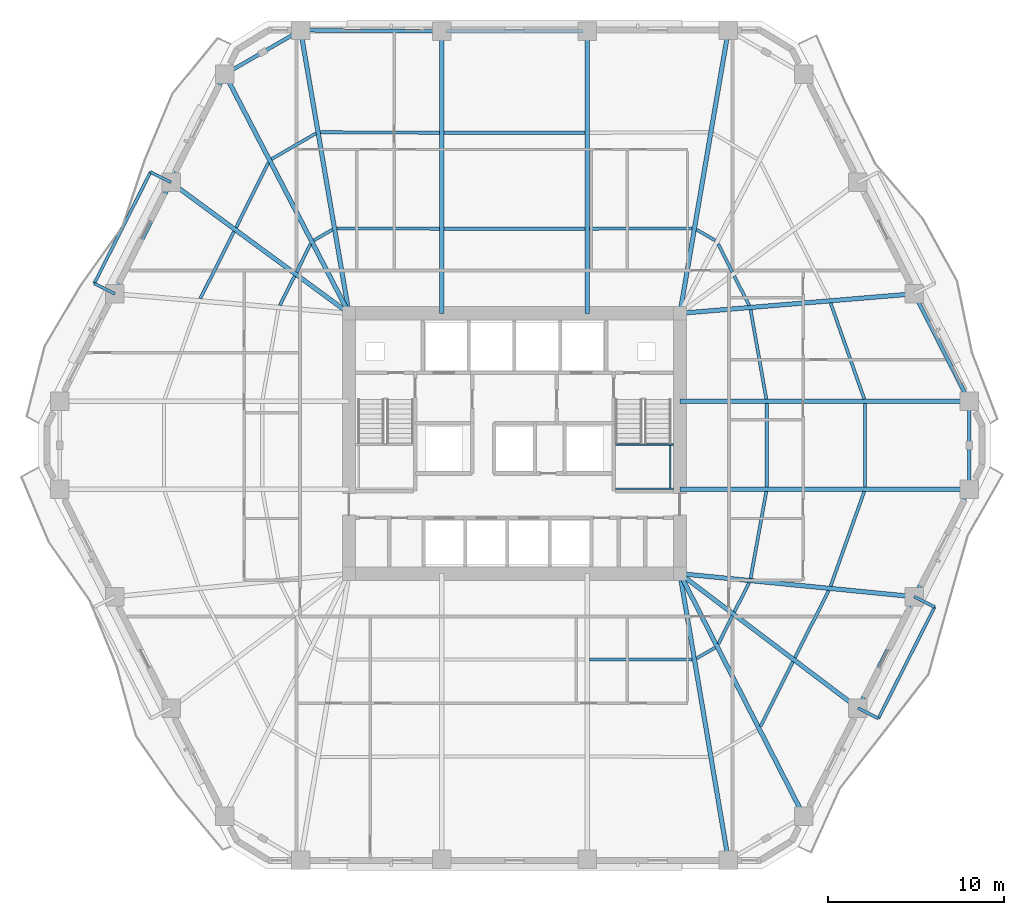
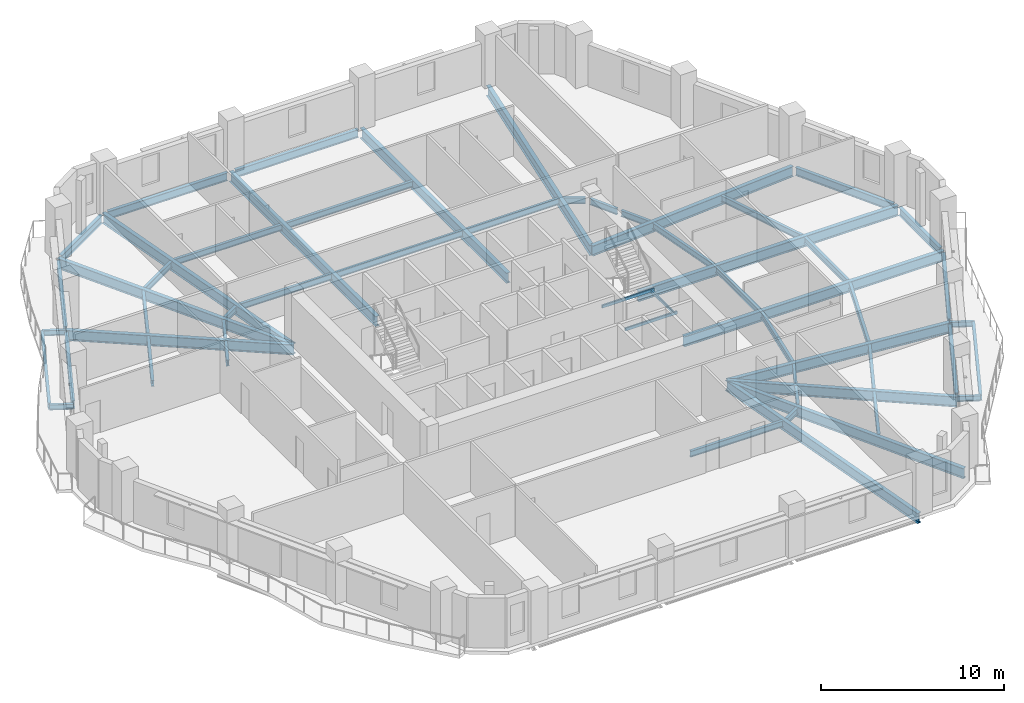
# One storey, part 2 of 13: 57 beams.
"""IFC4 building model written with IfcOpenShell, lengths in metres."""

import ifcopenshell
import ifcopenshell.guid

model = None  # the IFC model being written
_history = None  # IfcOwnerHistory: only IFC2X3 demands one
_inside = {}  # id of a spatial element -> (the spatial element, [elements in it])
_under = {}  # id of a project, library or spatial element -> (it, [spatial elements below it])
_declared = {}  # id of a project -> (the project, [libraries it declares])
_typed = {}  # id of a type object -> (the type object, [elements of that type])
_made_of = {}  # id of a material, layer set ... -> (it, [elements and type objects made of it])


def new_model(schema):
    """Start an empty IFC model of exactly this schema.

    Asked for "IFC4X3", IfcOpenShell would pick the latest addendum, in which some entities
    have other attributes; the version numbers below select the first issue.
    IFC2X3 requires an IfcOwnerHistory on every rooted entity: one is made here for all.
    """
    global model, _history
    if schema == "IFC4X3":
        model = ifcopenshell.file(schema_version=(4, 3, 0, 0))
    else:
        model = ifcopenshell.file(schema=schema)
    _inside.clear()
    _under.clear()
    _declared.clear()
    _typed.clear()
    _made_of.clear()
    _history = None
    if model.schema == "IFC2X3":
        org = make("IfcOrganization", Name="unknown")
        user = make(
            "IfcPersonAndOrganization",
            ThePerson=make("IfcPerson", FamilyName="unknown"),
            TheOrganization=org,
        )
        app = make(
            "IfcApplication",
            ApplicationDeveloper=org,
            Version="unknown",
            ApplicationFullName="unknown",
            ApplicationIdentifier="unknown",
        )
        _history = make(
            "IfcOwnerHistory",
            OwningUser=user,
            OwningApplication=app,
            ChangeAction="ADDED",
            CreationDate=0,
        )
    return model


def make(cls, **values):
    """One entity of the class cls with the attributes given. An attribute that is None is left unset."""
    return model.create_entity(
        cls, **{name: value for name, value in values.items() if value is not None}
    )


def rooted(cls, **values):
    """An entity with a GlobalId (a new one), such as an element, a storey or a relation."""
    return make(cls, GlobalId=ifcopenshell.guid.new(), OwnerHistory=_history, **values)


def si_unit(unit_type, name, prefix=None):
    """IfcSIUnit, for example si_unit("LENGTHUNIT", "METRE", prefix="MILLI")."""
    return make("IfcSIUnit", UnitType=unit_type, Prefix=prefix, Name=name)


def assignment(units):
    """IfcUnitAssignment: the units of a project."""
    return None if units is None else make("IfcUnitAssignment", Units=units)


def point(xyz):
    """IfcCartesianPoint."""
    return None if xyz is None else make("IfcCartesianPoint", Coordinates=xyz)


def direction(xyz):
    """IfcDirection."""
    return None if xyz is None else make("IfcDirection", DirectionRatios=xyz)


def frame(location, z_axis=None, x_axis=None):
    """IfcAxis2Placement3D, a coordinate frame: its origin and axes. An axis left out is left unset."""
    return make(
        "IfcAxis2Placement3D",
        Location=point(location),
        Axis=direction(z_axis),
        RefDirection=direction(x_axis),
    )


def frame_2d(location, x_axis=None):
    """IfcAxis2Placement2D, a coordinate frame in the plane: its origin and x axis."""
    return make(
        "IfcAxis2Placement2D", Location=point(location), RefDirection=direction(x_axis)
    )


def origin():
    """The frame at (0, 0, 0) with its axes left unset."""
    return frame((0.0, 0.0, 0.0))


def origin_2d():
    """The frame at (0, 0) in the plane with its x axis left unset."""
    return frame_2d((0.0, 0.0))


def place(relative_to, where):
    """IfcLocalPlacement: puts the frame where relative to a parent placement (None: the world)."""
    return make(
        "IfcLocalPlacement", PlacementRelTo=relative_to, RelativePlacement=where
    )


def context(
    kind, dimensions, precision=None, world=None, true_north=None, identifier=None
):
    """IfcGeometricRepresentationContext, for example the 3D "Model" context."""
    return make(
        "IfcGeometricRepresentationContext",
        ContextIdentifier=identifier,
        ContextType=kind,
        CoordinateSpaceDimension=dimensions,
        Precision=precision,
        WorldCoordinateSystem=world,
        TrueNorth=true_north,
    )


def subcontext(parent, identifier, kind, view, scale=None):
    """IfcGeometricRepresentationSubContext, for example "Body" below "Model"."""
    return make(
        "IfcGeometricRepresentationSubContext",
        ContextIdentifier=identifier,
        ContextType=kind,
        ParentContext=parent,
        TargetScale=scale,
        TargetView=view,
    )


def project(units=None, contexts=None):
    """IfcProject with its units and contexts."""
    return rooted(
        "IfcProject",
        Name="project",
        RepresentationContexts=contexts,
        UnitsInContext=assignment(units),
    )


def spatial(cls, under=None, at=None, **own):
    """A site, building, storey or space (cls), placed at a placement, below another one or the project."""
    s = rooted(cls, ObjectPlacement=at, **own)
    if under is not None:
        _under.setdefault(under.id(), (under, []))[1].append(s)
    return s


def profile(cls, at=None, kind="AREA", **sizes):
    """A parametric profile (cls). Its sizes go by their IFC names, for example OverallWidth=200.0."""
    return make(cls, ProfileType=kind, Position=at, **sizes)


def hollow_rectangle(**sizes):
    """IfcRectangleHollowProfileDef."""
    return profile("IfcRectangleHollowProfileDef", **sizes)


def i_section(**sizes):
    """IfcIShapeProfileDef."""
    return profile("IfcIShapeProfileDef", **sizes)


def extrude(swept, where, along, depth):
    """IfcExtrudedAreaSolid: the profile swept, set in the frame where, extruded along a direction by depth."""
    return make(
        "IfcExtrudedAreaSolid",
        SweptArea=swept,
        Position=where,
        ExtrudedDirection=direction(along),
        Depth=depth,
    )


def shape(context_of_items, identifier, shape_type, items):
    """IfcShapeRepresentation: the items that make up one representation, for example the "Body"."""
    return make(
        "IfcShapeRepresentation",
        ContextOfItems=context_of_items,
        RepresentationIdentifier=identifier,
        RepresentationType=shape_type,
        Items=items,
    )


def material(Name=None, Category=None):
    """IfcMaterial."""
    return make("IfcMaterial", Name=Name, Category=Category)


def material_profile(
    of_material, cross_section, Name=None, Category=None, Priority=None
):
    """IfcMaterialProfile: a cross section and its material."""
    return make(
        "IfcMaterialProfile",
        Name=Name,
        Material=of_material,
        Profile=cross_section,
        Priority=Priority,
        Category=Category,
    )


def profile_set(profiles, Name=None, composite=None):
    """IfcMaterialProfileSet."""
    return make(
        "IfcMaterialProfileSet",
        Name=Name,
        MaterialProfiles=profiles,
        CompositeProfile=composite,
    )


def made_of(thing, what):
    """Note that an element or type object is made of a material, layer set ...; save() writes the relation."""
    if what is not None:
        _made_of.setdefault(what.id(), (what, []))[1].append(thing)
    return thing


def type_object(cls, material=None, **own):
    """A type object (cls), such as IfcWallType, which elements share."""
    return made_of(rooted(cls, **own), material)


def element(
    cls,
    number,
    at=None,
    inside=None,
    cuts=None,
    type_object=None,
    material=None,
    context=None,
    identifier="Body",
    shape_type=None,
    held_by="IfcProductDefinitionShape",
    body=None,
    shapes=None,
    **own,
):
    """One element of the class cls, such as IfcWall. Its Tag is "e" and its number.

    at: its placement. inside: the storey or other place that contains it. cuts: it is an
    opening in that element (IfcRelVoidsElement). A single representation is given by context,
    identifier, shape_type and body (its items); several are given by shapes. held_by: the class
    of the entity that holds the representations. save() writes the other relations.
    """
    e = rooted(cls, Tag="e%d" % number, ObjectPlacement=at, **own)
    if body is not None:
        shapes = [shape(context, identifier, shape_type, body)]
    if shapes is not None:
        e.Representation = make(held_by, Representations=shapes)
    if inside is not None:
        _inside.setdefault(inside.id(), (inside, []))[1].append(e)
    if cuts is not None:
        rooted(
            "IfcRelVoidsElement", RelatingBuildingElement=cuts, RelatedOpeningElement=e
        )
    if type_object is not None:
        _typed.setdefault(type_object.id(), (type_object, []))[1].append(e)
    return made_of(e, material)


def aggregate(whole, parts):
    """IfcRelAggregates: a whole, such as a stair, and the parts it consists of."""
    return rooted("IfcRelAggregates", RelatingObject=whole, RelatedObjects=parts)


def save(model, path):
    """Write the relations noted so far, then the file.

    IfcRelAggregates (storeys below a building ...), IfcRelContainedInSpatialStructure (elements
    in a storey), IfcRelDefinesByType, IfcRelAssociatesMaterial and IfcRelDeclares: one each for
    every whole, place, type object, material and project.
    """
    for whole, parts in _under.values():
        aggregate(whole, parts)
    for where, things in _inside.values():
        rooted(
            "IfcRelContainedInSpatialStructure",
            RelatedElements=things,
            RelatingStructure=where,
        )
    for kind, things in _typed.values():
        rooted("IfcRelDefinesByType", RelatedObjects=things, RelatingType=kind)
    for what, things in _made_of.values():
        rooted("IfcRelAssociatesMaterial", RelatedObjects=things, RelatingMaterial=what)
    for by, libraries in _declared.values():
        rooted("IfcRelDeclares", RelatingContext=by, RelatedDefinitions=libraries)
    model.write(path)


model = new_model("IFC4")

# Units and contexts
model_context = context("Model", 3, precision=1e-05, world=origin(), true_north=direction((0.0, 1.0)))
body_context = subcontext(model_context, "Body", "Model", "MODEL_VIEW")
ifc_project = project(units=[si_unit("LENGTHUNIT", "METRE"), si_unit("AREAUNIT", "SQUARE_METRE"), si_unit("VOLUMEUNIT", "CUBIC_METRE"), si_unit("PLANEANGLEUNIT", "RADIAN"), si_unit("MASSUNIT", "GRAM", prefix="KILO")], contexts=[model_context])

# Site, building, storey
site_placement = place(None, origin())
site = spatial("IfcSite", under=ifc_project, at=site_placement, CompositionType="ELEMENT")
building_placement = place(site_placement, origin())
building = spatial("IfcBuilding", under=site, at=building_placement, Name="Cinnabar Lancet Tower", CompositionType="ELEMENT")
storey_placement = place(building_placement, frame((0.0, 0.0, 80.0)))
storey = spatial("IfcBuildingStorey", under=building, at=storey_placement, Name="L20", CompositionType="ELEMENT", Elevation=80.0)

# Beams
ifc_material_1 = material(Name="Structural steel S355", Category="steel")
ifc_material_profile_1 = material_profile(ifc_material_1, i_section(OverallWidth=0.177978515625, OverallDepth=0.406494140625, WebThickness=0.0078125, FlangeThickness=0.0126953125, FilletRadius=0.01025390625, at=origin_2d()), Name="UKB 406x178x60")
ifc_profile_set_1 = profile_set([ifc_material_profile_1], Name="Structural steel S355")
beam_type_1 = type_object("IfcBeamType", Name="STR-BM-JST-406", PredefinedType="JOIST", material=ifc_profile_set_1)
beam_1_placement = place(storey_placement, frame((36.64892578125, 13.669921875, -0.423095703125), z_axis=(0.999996726205, -0.002558823789, 0.0), x_axis=(0.002558823789, 0.999996726205, 0.0)))
element("IfcBeam", 1, at=beam_1_placement, inside=storey, type_object=beam_type_1, Name="L20 Secondary Floor Joist 14", PredefinedType="JOIST", context=body_context, shape_type="SweptSolid", body=[
    extrude(i_section(OverallWidth=0.177978515625, OverallDepth=0.406494140625, WebThickness=0.0078125, FlangeThickness=0.0126953125, FilletRadius=0.01025390625, at=origin_2d()), origin(), (0.0, 0.0, 1.0), 5.820068359375),
])
beam_2_placement = place(storey_placement, frame((42.715087890625, 13.721923828125, -0.423095703125), z_axis=(0.864870018283, 0.501995867986, 0.0), x_axis=(-0.501995867986, 0.864870018283, 0.0)))
element("IfcBeam", 2, at=beam_2_placement, inside=storey, type_object=beam_type_1, Name="L20 Secondary Floor Joist 16", PredefinedType="JOIST", context=body_context, shape_type="SweptSolid", body=[
    extrude(i_section(OverallWidth=0.177978515625, OverallDepth=0.406494140625, WebThickness=0.0078125, FlangeThickness=0.0126953125, FilletRadius=0.01025390625, at=origin_2d()), origin(), (0.0, 0.0, 1.0), 1.22314453125),
])
beam_3_placement = place(storey_placement, frame((46.343017578125, 9.864990234375, -0.423095703125), z_axis=(0.445831561814, 0.895116874207, 0.0), x_axis=(-0.895116874207, 0.445831561814, 0.0)))
element("IfcBeam", 3, at=beam_3_placement, inside=storey, type_object=beam_type_1, Name="L20 Secondary Floor Joist 17", PredefinedType="JOIST", context=body_context, shape_type="SweptSolid", body=[
    extrude(i_section(OverallWidth=0.177978515625, OverallDepth=0.406494140625, WebThickness=0.0078125, FlangeThickness=0.0126953125, FilletRadius=0.01025390625, at=origin_2d()), origin(), (0.0, 0.0, 1.0), 4.099853515625),
])
beam_4_placement = place(storey_placement, frame((43.9541015625, 14.541015625, -0.423095703125), z_axis=(0.445778141453, 0.895143479339, 0.0), x_axis=(-0.895143479339, 0.445778141453, 0.0)))
element("IfcBeam", 4, at=beam_4_placement, inside=storey, type_object=beam_type_1, Name="L20 Secondary Floor Joist 18", PredefinedType="JOIST", context=body_context, shape_type="SweptSolid", body=[
    extrude(i_section(OverallWidth=0.177978515625, OverallDepth=0.406494140625, WebThickness=0.0078125, FlangeThickness=0.0126953125, FilletRadius=0.01025390625, at=origin_2d()), origin(), (0.0, 0.0, 1.0), 1.76953125),
])
beam_5_placement = place(storey_placement, frame((48.287109375, 13.76611328125, -0.423095703125), z_axis=(0.450763900798, 0.892643213012, 0.0), x_axis=(-0.892643213012, 0.450763900798, 0.0)))
element("IfcBeam", 5, at=beam_5_placement, inside=storey, type_object=beam_type_1, Name="L20 Secondary Floor Joist 19", PredefinedType="JOIST", context=body_context, shape_type="SweptSolid", body=[
    extrude(i_section(OverallWidth=0.177978515625, OverallDepth=0.406494140625, WebThickness=0.0078125, FlangeThickness=0.0126953125, FilletRadius=0.01025390625, at=origin_2d()), origin(), (0.0, 0.0, 1.0), 4.25927734375),
])
beam_6_placement = place(storey_placement, frame((44.85791015625, 16.35498046875, -0.423095703125), z_axis=(0.450944553771, 0.892551964551, 0.0), x_axis=(-0.892551964551, 0.450944553771, 0.0)))
element("IfcBeam", 6, at=beam_6_placement, inside=storey, type_object=beam_type_1, Name="L20 Secondary Floor Joist 20", PredefinedType="JOIST", context=body_context, shape_type="SweptSolid", body=[
    extrude(i_section(OverallWidth=0.177978515625, OverallDepth=0.406494140625, WebThickness=0.0078125, FlangeThickness=0.0126953125, FilletRadius=0.01025390625, at=origin_2d()), origin(), (0.0, 0.0, 1.0), 1.8564453125),
])
beam_7_placement = place(storey_placement, frame((50.31201171875, 17.81298828125, -0.423095703125), z_axis=(0.334725039774, 0.942315842883, 0.0), x_axis=(-0.942315842883, 0.334725039774, 0.0)))
element("IfcBeam", 7, at=beam_7_placement, inside=storey, type_object=beam_type_1, Name="L20 Secondary Floor Joist 21", PredefinedType="JOIST", context=body_context, shape_type="SweptSolid", body=[
    extrude(i_section(OverallWidth=0.177978515625, OverallDepth=0.406494140625, WebThickness=0.0078125, FlangeThickness=0.0126953125, FilletRadius=0.01025390625, at=origin_2d()), origin(), (0.0, 0.0, 1.0), 5.702880859375),
])
beam_8_placement = place(storey_placement, frame((45.779052734375, 18.259033203125, -0.423095703125), z_axis=(0.177894326387, 0.984049596636, 0.0), x_axis=(-0.984049596636, 0.177894326387, 0.0)))
element("IfcBeam", 8, at=beam_8_placement, inside=storey, type_object=beam_type_1, Name="L20 Secondary Floor Joist 22", PredefinedType="JOIST", context=body_context, shape_type="SweptSolid", body=[
    extrude(i_section(OverallWidth=0.177978515625, OverallDepth=0.406494140625, WebThickness=0.0078125, FlangeThickness=0.0126953125, FilletRadius=0.01025390625, at=origin_2d()), origin(), (0.0, 0.0, 1.0), 5.0078125),
])
for number, where, z_axis, x_axis, name in (
    (9, (52.26708984375, 23.44091796875, -0.423095703125), (0.0, 1.0, 0.0), (-1.0, 0.0, 0.0), "L20 Secondary Floor Joist 23"),
    (10, (46.693115234375, 23.44091796875, -0.423095703125), (0.0, 1.0, 0.0), (-1.0, 0.0, 0.0), "L20 Secondary Floor Joist 24"),
):
    element("IfcBeam", number, at=place(storey_placement, frame(where, z_axis=z_axis, x_axis=x_axis)), inside=storey, type_object=beam_type_1, Name=name, PredefinedType="JOIST", context=body_context, shape_type="SweptSolid", body=[
        extrude(i_section(OverallWidth=0.177978515625, OverallDepth=0.406494140625, WebThickness=0.0078125, FlangeThickness=0.0126953125, FilletRadius=0.01025390625, at=origin_2d()), origin(), (0.0, 0.0, 1.0), 4.718017578125),
    ])
beam_9_placement = place(storey_placement, frame((52.221923828125, 28.4130859375, -0.423095703125), z_axis=(-0.330949596087, 0.943648432866, 0.0), x_axis=(-0.943648432866, -0.330949596087, 0.0)))
element("IfcBeam", 11, at=beam_9_placement, inside=storey, type_object=beam_type_1, Name="L20 Secondary Floor Joist 25", PredefinedType="JOIST", context=body_context, shape_type="SweptSolid", body=[
    extrude(i_section(OverallWidth=0.177978515625, OverallDepth=0.406494140625, WebThickness=0.0078125, FlangeThickness=0.0126953125, FilletRadius=0.01025390625, at=origin_2d()), origin(), (0.0, 0.0, 1.0), 5.77099609375),
])
beam_10_placement = place(storey_placement, frame((46.6708984375, 28.4130859375, -0.423095703125), z_axis=(-0.173501142861, 0.984833667898, 0.0), x_axis=(-0.984833667898, -0.173501142861, 0.0)))
element("IfcBeam", 12, at=beam_10_placement, inside=storey, type_object=beam_type_1, Name="L20 Secondary Floor Joist 26", PredefinedType="JOIST", context=body_context, shape_type="SweptSolid", body=[
    extrude(i_section(OverallWidth=0.177978515625, OverallDepth=0.406494140625, WebThickness=0.0078125, FlangeThickness=0.0126953125, FilletRadius=0.01025390625, at=origin_2d()), origin(), (0.0, 0.0, 1.0), 5.14599609375),
])
beam_11_placement = place(storey_placement, frame((45.695068359375, 33.72900390625, -0.423095703125), z_axis=(-0.451156365602, 0.892444919184, 0.0), x_axis=(-0.892444919184, -0.451156365602, 0.0)))
element("IfcBeam", 13, at=beam_11_placement, inside=storey, type_object=beam_type_1, Name="L20 Secondary Floor Joist 28", PredefinedType="JOIST", context=body_context, shape_type="SweptSolid", body=[
    extrude(i_section(OverallWidth=0.177978515625, OverallDepth=0.406494140625, WebThickness=0.0078125, FlangeThickness=0.0126953125, FilletRadius=0.01025390625, at=origin_2d()), origin(), (0.0, 0.0, 1.0), 1.85546875),
])
beam_12_placement = place(storey_placement, frame((44.742919921875, 35.614990234375, -0.423095703125), z_axis=(-0.446110386834, 0.894977945404, 0.0), x_axis=(-0.894977945404, -0.446110386834, 0.0)))
element("IfcBeam", 14, at=beam_12_placement, inside=storey, type_object=beam_type_1, Name="L20 Secondary Floor Joist 30", PredefinedType="JOIST", context=body_context, shape_type="SweptSolid", body=[
    extrude(i_section(OverallWidth=0.177978515625, OverallDepth=0.406494140625, WebThickness=0.0078125, FlangeThickness=0.0126953125, FilletRadius=0.01025390625, at=origin_2d()), origin(), (0.0, 0.0, 1.0), 1.77099609375),
])
beam_13_placement = place(storey_placement, frame((43.77392578125, 37.404052734375, -0.423095703125), z_axis=(-0.865071007494, 0.501649431369, 0.0), x_axis=(-0.501649431369, -0.865071007494, 0.0)))
element("IfcBeam", 15, at=beam_13_placement, inside=storey, type_object=beam_type_1, Name="L20 Secondary Floor Joist 32", PredefinedType="JOIST", context=body_context, shape_type="SweptSolid", body=[
    extrude(i_section(OverallWidth=0.177978515625, OverallDepth=0.406494140625, WebThickness=0.0078125, FlangeThickness=0.0126953125, FilletRadius=0.01025390625, at=origin_2d()), origin(), (0.0, 0.0, 1.0), 1.223876953125),
])
beam_14_placement = place(storey_placement, frame((42.468994140625, 38.0849609375, -0.423095703125), z_axis=(-0.999996726205, -0.002558823789, 0.0), x_axis=(0.002558823789, -0.999996726205, 0.0)))
element("IfcBeam", 16, at=beam_14_placement, inside=storey, type_object=beam_type_1, Name="L20 Secondary Floor Joist 34", PredefinedType="JOIST", context=body_context, shape_type="SweptSolid", body=[
    extrude(i_section(OverallWidth=0.177978515625, OverallDepth=0.406494140625, WebThickness=0.0078125, FlangeThickness=0.0126953125, FilletRadius=0.01025390625, at=origin_2d()), origin(), (0.0, 0.0, 1.0), 5.820068359375),
])
for number, where, z_axis, x_axis, name in (
    (17, (36.39501953125, 43.50390625, -0.423095703125), (-1.0, 0.0, 0.0), (0.0, -1.0, 0.0), "L20 Secondary Floor Joist 35"),
    (18, (36.39501953125, 38.070068359375, -0.423095703125), (-1.0, 0.0, 0.0), (0.0, -1.0, 0.0), "L20 Secondary Floor Joist 36"),
):
    element("IfcBeam", number, at=place(storey_placement, frame(where, z_axis=z_axis, x_axis=x_axis)), inside=storey, type_object=beam_type_1, Name=name, PredefinedType="JOIST", context=body_context, shape_type="SweptSolid", body=[
        extrude(i_section(OverallWidth=0.177978515625, OverallDepth=0.406494140625, WebThickness=0.0078125, FlangeThickness=0.0126953125, FilletRadius=0.01025390625, at=origin_2d()), origin(), (0.0, 0.0, 1.0), 7.989990234375),
    ])
beam_15_placement = place(storey_placement, frame((28.15087890625, 43.5048828125, -0.423095703125), z_axis=(-0.99998860979, 0.004772870136, 0.0), x_axis=(-0.004772870136, -0.99998860979, 0.0)))
element("IfcBeam", 19, at=beam_15_placement, inside=storey, type_object=beam_type_1, Name="L20 Secondary Floor Joist 37", PredefinedType="JOIST", context=body_context, shape_type="SweptSolid", body=[
    extrude(i_section(OverallWidth=0.177978515625, OverallDepth=0.406494140625, WebThickness=0.0078125, FlangeThickness=0.0126953125, FilletRadius=0.01025390625, at=origin_2d()), origin(), (0.0, 0.0, 1.0), 6.751953125),
])
beam_16_placement = place(storey_placement, frame((28.15087890625, 38.070068359375, -0.423095703125), z_axis=(-0.99999672593, 0.00255893113, 0.0), x_axis=(-0.00255893113, -0.99999672593, 0.0)))
element("IfcBeam", 20, at=beam_16_placement, inside=storey, type_object=beam_type_1, Name="L20 Secondary Floor Joist 38", PredefinedType="JOIST", context=body_context, shape_type="SweptSolid", body=[
    extrude(i_section(OverallWidth=0.177978515625, OverallDepth=0.406494140625, WebThickness=0.0078125, FlangeThickness=0.0126953125, FilletRadius=0.01025390625, at=origin_2d()), origin(), (0.0, 0.0, 1.0), 5.81982421875),
])
beam_17_placement = place(storey_placement, frame((21.153076171875, 43.469970703125, -0.423095703125), z_axis=(-0.865230791262, -0.501373790551, 0.0), x_axis=(0.501373790551, -0.865230791262, 0.0)))
element("IfcBeam", 21, at=beam_17_placement, inside=storey, type_object=beam_type_1, Name="L20 Secondary Floor Joist 39", PredefinedType="JOIST", context=body_context, shape_type="SweptSolid", body=[
    extrude(i_section(OverallWidth=0.177978515625, OverallDepth=0.406494140625, WebThickness=0.0078125, FlangeThickness=0.0126953125, FilletRadius=0.01025390625, at=origin_2d()), origin(), (0.0, 0.0, 1.0), 2.907958984375),
])
beam_18_placement = place(storey_placement, frame((22.0849609375, 38.01806640625, -0.423095703125), z_axis=(-0.865121189797, -0.501562884357, 0.0), x_axis=(0.501562884357, -0.865121189797, 0.0)))
element("IfcBeam", 22, at=beam_18_placement, inside=storey, type_object=beam_type_1, Name="L20 Secondary Floor Joist 40", PredefinedType="JOIST", context=body_context, shape_type="SweptSolid", body=[
    extrude(i_section(OverallWidth=0.177978515625, OverallDepth=0.406494140625, WebThickness=0.0078125, FlangeThickness=0.0126953125, FilletRadius=0.01025390625, at=origin_2d()), origin(), (0.0, 0.0, 1.0), 1.22412109375),
])
beam_19_placement = place(storey_placement, frame((18.45703125, 41.80810546875, -0.423095703125), z_axis=(-0.445665476617, -0.895199577163, 0.0), x_axis=(0.895199577163, -0.445665476617, 0.0)))
element("IfcBeam", 23, at=beam_19_placement, inside=storey, type_object=beam_type_1, Name="L20 Secondary Floor Joist 41", PredefinedType="JOIST", context=body_context, shape_type="SweptSolid", body=[
    extrude(i_section(OverallWidth=0.177978515625, OverallDepth=0.406494140625, WebThickness=0.0078125, FlangeThickness=0.0126953125, FilletRadius=0.01025390625, at=origin_2d()), origin(), (0.0, 0.0, 1.0), 4.10205078125),
])
beam_20_placement = place(storey_placement, frame((20.846923828125, 37.199951171875, -0.423095703125), z_axis=(-0.446110386834, -0.894977945404, 0.0), x_axis=(0.894977945404, -0.446110386834, 0.0)))
element("IfcBeam", 24, at=beam_20_placement, inside=storey, type_object=beam_type_1, Name="L20 Secondary Floor Joist 42", PredefinedType="JOIST", context=body_context, shape_type="SweptSolid", body=[
    extrude(i_section(OverallWidth=0.177978515625, OverallDepth=0.406494140625, WebThickness=0.0078125, FlangeThickness=0.0126953125, FilletRadius=0.01025390625, at=origin_2d()), origin(), (0.0, 0.0, 1.0), 1.77099609375),
])
beam_21_placement = place(storey_placement, frame((16.512939453125, 37.906005859375, -0.423095703125), z_axis=(-0.450763900798, -0.892643213012, 0.0), x_axis=(0.892643213012, -0.450763900798, 0.0)))
element("IfcBeam", 25, at=beam_21_placement, inside=storey, type_object=beam_type_1, Name="L20 Secondary Floor Joist 43", PredefinedType="JOIST", context=body_context, shape_type="SweptSolid", body=[
    extrude(i_section(OverallWidth=0.177978515625, OverallDepth=0.406494140625, WebThickness=0.0078125, FlangeThickness=0.0126953125, FilletRadius=0.01025390625, at=origin_2d()), origin(), (0.0, 0.0, 1.0), 4.25927734375),
])
beam_22_placement = place(storey_placement, frame((19.94189453125, 35.385009765625, -0.423095703125), z_axis=(-0.451051565643, -0.892497890827, 0.0), x_axis=(0.892497890827, -0.451051565643, 0.0)))
element("IfcBeam", 26, at=beam_22_placement, inside=storey, type_object=beam_type_1, Name="L20 Secondary Floor Joist 44", PredefinedType="JOIST", context=body_context, shape_type="SweptSolid", body=[
    extrude(i_section(OverallWidth=0.177978515625, OverallDepth=0.406494140625, WebThickness=0.0078125, FlangeThickness=0.0126953125, FilletRadius=0.01025390625, at=origin_2d()), origin(), (0.0, 0.0, 1.0), 1.85546875),
])
ifc_material_2 = material(Name="Structural steel S355", Category="steel")
ifc_material_profile_2 = material_profile(ifc_material_2, hollow_rectangle(XDim=0.10009765625, YDim=0.199951171875, WallThickness=0.008056640625, InnerFilletRadius=0.00390625, OuterFilletRadius=0.011962890625, at=origin_2d()), Name="RHS 200x100x8")
ifc_profile_set_2 = profile_set([ifc_material_profile_2], Name="Structural steel S355")
beam_type_2 = type_object("IfcBeamType", Name="STR-BM-LND-203", PredefinedType="BEAM", material=ifc_profile_set_2)
for number, where, z_axis, x_axis, name in (
    (27, (38.1201171875, 23.330078125, 1.47509765625), (1.0, 0.0, 0.0), (0.0, 1.0, 0.0), "L20 ST-2-L20 Landing Support Beam S"),
    (28, (38.1201171875, 25.844970703125, 1.47509765625), (1.0, 0.0, 0.0), (0.0, 1.0, 0.0), "L20 ST-2-L20 Landing Support Beam N"),
):
    element("IfcBeam", number, at=place(storey_placement, frame(where, z_axis=z_axis, x_axis=x_axis)), inside=storey, type_object=beam_type_2, Name=name, PredefinedType="BEAM", context=body_context, shape_type="SweptSolid", body=[
        extrude(hollow_rectangle(XDim=0.10009765625, YDim=0.199951171875, WallThickness=0.008056640625, InnerFilletRadius=0.00390625, OuterFilletRadius=0.011962890625, at=origin_2d()), origin(), (0.0, 0.0, 1.0), 3.27978515625),
    ])
beam_23_placement = place(storey_placement, frame((41.219970703125, 23.3798828125, 1.47509765625), z_axis=(0.0, 1.0, 0.0), x_axis=(-1.0, 0.0, 0.0)))
element("IfcBeam", 29, at=beam_23_placement, inside=storey, type_object=beam_type_2, Name="L20 ST-2-L20 Landing Side Trimmer Beam", PredefinedType="BEAM", context=body_context, shape_type="SweptSolid", body=[
    extrude(hollow_rectangle(XDim=0.10009765625, YDim=0.199951171875, WallThickness=0.008056640625, InnerFilletRadius=0.00390625, OuterFilletRadius=0.011962890625, at=origin_2d()), origin(), (0.0, 0.0, 1.0), 2.4150390625),
])
ifc_material_3 = material(Name="Structural steel S355", Category="steel")
ifc_material_profile_3 = material_profile(ifc_material_3, i_section(OverallWidth=0.209228515625, OverallDepth=0.533203125, WebThickness=0.010009765625, FlangeThickness=0.015625, FilletRadius=0.0126953125, at=origin_2d()), Name="UKB 533x210x92")
ifc_profile_set_3 = profile_set([ifc_material_profile_3], Name="Structural steel S355")
beam_type_3 = type_object("IfcBeamType", Name="STR-BM-SPN-533", PredefinedType="SPANDREL", material=ifc_profile_set_3)
beam_24_placement = place(storey_placement, frame((51.971923828125, 11.132080078125, -0.487060546875), z_axis=(0.450703143926, 0.892673891214, 0.0), x_axis=(-0.892673891214, 0.450703143926, 0.0)))
element("IfcBeam", 30, at=beam_24_placement, inside=storey, type_object=beam_type_3, Name="L20 Perimeter Spandrel 6", PredefinedType="SPANDREL", context=body_context, shape_type="SweptSolid", body=[
    extrude(i_section(OverallWidth=0.209228515625, OverallDepth=0.533203125, WebThickness=0.010009765625, FlangeThickness=0.015625, FilletRadius=0.0126953125, at=origin_2d()), origin(), (0.0, 0.0, 1.0), 6.570068359375),
])
beam_25_placement = place(storey_placement, frame((55.159912109375, 17.443115234375, -0.487060546875), z_axis=(0.456024522632, 0.889967209934, 0.0), x_axis=(-0.889967209934, 0.456024522632, 0.0)))
element("IfcBeam", 31, at=beam_25_placement, inside=storey, type_object=beam_type_3, Name="L20 Perimeter Spandrel 7", PredefinedType="SPANDREL", context=body_context, shape_type="SweptSolid", body=[
    extrude(i_section(OverallWidth=0.209228515625, OverallDepth=0.533203125, WebThickness=0.010009765625, FlangeThickness=0.015625, FilletRadius=0.0126953125, at=origin_2d()), origin(), (0.0, 0.0, 1.0), 6.34619140625),
])
beam_26_placement = place(storey_placement, frame((58.16796875, 23.56396484375, -0.487060546875), z_axis=(0.0, 1.0, 0.0), x_axis=(-1.0, 0.0, 0.0)))
element("IfcBeam", 32, at=beam_26_placement, inside=storey, type_object=beam_type_3, Name="L20 Perimeter Spandrel 8", PredefinedType="SPANDREL", context=body_context, shape_type="SweptSolid", body=[
    extrude(i_section(OverallWidth=0.209228515625, OverallDepth=0.533203125, WebThickness=0.010009765625, FlangeThickness=0.015625, FilletRadius=0.0126953125, at=origin_2d()), origin(), (0.0, 0.0, 1.0), 4.471923828125),
])
beam_27_placement = place(storey_placement, frame((58.053955078125, 28.509033203125, -0.487060546875), z_axis=(-0.456024522632, 0.889967209934, 0.0), x_axis=(-0.889967209934, -0.456024522632, 0.0)))
element("IfcBeam", 33, at=beam_27_placement, inside=storey, type_object=beam_type_3, Name="L20 Perimeter Spandrel 9", PredefinedType="SPANDREL", context=body_context, shape_type="SweptSolid", body=[
    extrude(i_section(OverallWidth=0.209228515625, OverallDepth=0.533203125, WebThickness=0.010009765625, FlangeThickness=0.015625, FilletRadius=0.0126953125, at=origin_2d()), origin(), (0.0, 0.0, 1.0), 6.34619140625),
])
beam_28_placement = place(storey_placement, frame((36.27197265625, 49.258056640625, -0.487060546875), z_axis=(-1.0, 0.0, 0.0), x_axis=(0.0, -1.0, 0.0)))
element("IfcBeam", 34, at=beam_28_placement, inside=storey, type_object=beam_type_3, Name="L20 Perimeter Spandrel 14", PredefinedType="SPANDREL", context=body_context, shape_type="SweptSolid", body=[
    extrude(i_section(OverallWidth=0.209228515625, OverallDepth=0.533203125, WebThickness=0.010009765625, FlangeThickness=0.015625, FilletRadius=0.0126953125, at=origin_2d()), origin(), (0.0, 0.0, 1.0), 7.743896484375),
])
beam_29_placement = place(storey_placement, frame((28.028076171875, 49.260009765625, -0.487060546875), z_axis=(-0.99997856757, 0.006547090947, 0.0), x_axis=(-0.006547090947, -0.99997856757, 0.0)))
element("IfcBeam", 35, at=beam_29_placement, inside=storey, type_object=beam_type_3, Name="L20 Perimeter Spandrel 15", PredefinedType="SPANDREL", context=body_context, shape_type="SweptSolid", body=[
    extrude(i_section(OverallWidth=0.209228515625, OverallDepth=0.533203125, WebThickness=0.010009765625, FlangeThickness=0.015625, FilletRadius=0.0126953125, at=origin_2d()), origin(), (0.0, 0.0, 1.0), 7.495361328125),
])
beam_30_placement = place(storey_placement, frame((20.06689453125, 49.18603515625, -0.487060546875), z_axis=(-0.865147238596, -0.501517951374, 0.0), x_axis=(0.501517951374, -0.865147238596, 0.0)))
element("IfcBeam", 36, at=beam_30_placement, inside=storey, type_object=beam_type_3, Name="L20 Perimeter Spandrel 16", PredefinedType="SPANDREL", context=body_context, shape_type="SweptSolid", body=[
    extrude(i_section(OverallWidth=0.209228515625, OverallDepth=0.533203125, WebThickness=0.010009765625, FlangeThickness=0.015625, FilletRadius=0.0126953125, at=origin_2d()), origin(), (0.0, 0.0, 1.0), 4.454833984375),
])
beam_31_placement = place(storey_placement, frame((15.885986328125, 46.60302734375, -0.487060546875), z_axis=(-0.445953050023, -0.89505635419, 0.0), x_axis=(0.89505635419, -0.445953050023, 0.0)))
element("IfcBeam", 37, at=beam_31_placement, inside=storey, type_object=beam_type_3, Name="L20 Perimeter Spandrel 17", PredefinedType="SPANDREL", context=body_context, shape_type="SweptSolid", body=[
    extrude(i_section(OverallWidth=0.209228515625, OverallDepth=0.533203125, WebThickness=0.010009765625, FlangeThickness=0.015625, FilletRadius=0.0126953125, at=origin_2d()), origin(), (0.0, 0.0, 1.0), 6.35498046875),
])
beam_32_placement = place(storey_placement, frame((12.827880859375, 40.468017578125, -0.487060546875), z_axis=(-0.450673532306, -0.892688841242, 0.0), x_axis=(0.892688841242, -0.450673532306, 0.0)))
element("IfcBeam", 38, at=beam_32_placement, inside=storey, type_object=beam_type_3, Name="L20 Perimeter Spandrel 18", PredefinedType="SPANDREL", context=body_context, shape_type="SweptSolid", body=[
    extrude(i_section(OverallWidth=0.209228515625, OverallDepth=0.533203125, WebThickness=0.010009765625, FlangeThickness=0.015625, FilletRadius=0.0126953125, at=origin_2d()), origin(), (0.0, 0.0, 1.0), 6.570068359375),
])
ifc_material_4 = material(Name="Structural steel S355", Category="steel")
ifc_material_profile_4 = material_profile(ifc_material_4, i_section(OverallWidth=0.253662109375, OverallDepth=0.68359375, WebThickness=0.012451171875, FlangeThickness=0.01904296875, FilletRadius=0.01513671875, at=origin_2d()), Name="UKB 686x254x140")
ifc_profile_set_4 = profile_set([ifc_material_profile_4], Name="Structural steel S355")
beam_type_4 = type_object("IfcBeamType", Name="STR-BM-UKB686-140", PredefinedType="BEAM", material=ifc_profile_set_4)
beam_33_placement = place(storey_placement, frame((51.85888671875, 10.908935546875, -0.56201171875), z_axis=(-0.797983154837, 0.602679752933, 0.0), x_axis=(-0.602679752933, -0.797983154837, 0.0)))
element("IfcBeam", 39, at=beam_33_placement, inside=storey, type_object=beam_type_4, Name="L20 Corner Collector Girder 2", PredefinedType="BEAM", context=body_context, shape_type="SweptSolid", body=[
    extrude(i_section(OverallWidth=0.253662109375, OverallDepth=0.68359375, WebThickness=0.012451171875, FlangeThickness=0.01904296875, FilletRadius=0.01513671875, at=origin_2d()), origin(), (0.0, 0.0, 1.0), 12.63671875),
])
beam_34_placement = place(storey_placement, frame((12.94091796875, 40.69091796875, -0.56201171875), z_axis=(0.805600633978, -0.592458959367, 0.0), x_axis=(0.592458959367, 0.805600633978, 0.0)))
element("IfcBeam", 40, at=beam_34_placement, inside=storey, type_object=beam_type_4, Name="L20 Corner Collector Girder 4", PredefinedType="BEAM", context=body_context, shape_type="SweptSolid", body=[
    extrude(i_section(OverallWidth=0.253662109375, OverallDepth=0.68359375, WebThickness=0.012451171875, FlangeThickness=0.01904296875, FilletRadius=0.01513671875, at=origin_2d()), origin(), (0.0, 0.0, 1.0), 12.517333984375),
])
beam_35_placement = place(storey_placement, frame((44.51708984375, 2.2890625, -0.56201171875), z_axis=(-0.166538518453, 0.98603494962, 0.0), x_axis=(-0.98603494962, -0.166538518453, 0.0)))
element("IfcBeam", 41, at=beam_35_placement, inside=storey, type_object=beam_type_4, Name="L20 Primary Floor Girder 4", PredefinedType="BEAM", context=body_context, shape_type="SweptSolid", body=[
    extrude(i_section(OverallWidth=0.253662109375, OverallDepth=0.68359375, WebThickness=0.012451171875, FlangeThickness=0.01904296875, FilletRadius=0.01513671875, at=origin_2d()), origin(), (0.0, 0.0, 1.0), 16.4658203125),
])
beam_36_placement = place(storey_placement, frame((48.802978515625, 4.77294921875, -0.56201171875), z_axis=(-0.455075128525, 0.89045304615, 0.0), x_axis=(-0.89045304615, -0.455075128525, 0.0)))
element("IfcBeam", 42, at=beam_36_placement, inside=storey, type_object=beam_type_4, Name="L20 Primary Floor Girder 5", PredefinedType="BEAM", context=body_context, shape_type="SweptSolid", body=[
    extrude(i_section(OverallWidth=0.253662109375, OverallDepth=0.68359375, WebThickness=0.012451171875, FlangeThickness=0.01904296875, FilletRadius=0.01513671875, at=origin_2d()), origin(), (0.0, 0.0, 1.0), 15.44384765625),
])
beam_37_placement = place(storey_placement, frame((55.0458984375, 17.219970703125, -0.56201171875), z_axis=(-0.995200421983, 0.097857652149, 0.0), x_axis=(-0.097857652149, -0.995200421983, 0.0)))
element("IfcBeam", 43, at=beam_37_placement, inside=storey, type_object=beam_type_4, Name="L20 Primary Floor Girder 7", PredefinedType="BEAM", context=body_context, shape_type="SweptSolid", body=[
    extrude(i_section(OverallWidth=0.253662109375, OverallDepth=0.68359375, WebThickness=0.012451171875, FlangeThickness=0.01904296875, FilletRadius=0.01513671875, at=origin_2d()), origin(), (0.0, 0.0, 1.0), 13.3349609375),
])
for number, where, z_axis, x_axis, name in (
    (44, (58.16796875, 23.31396484375, -0.56201171875), (-1.0, 0.0, 0.0), (0.0, -1.0, 0.0), "L20 Primary Floor Girder 8"),
    (45, (58.16796875, 28.285888671875, -0.56201171875), (-1.0, 0.0, 0.0), (0.0, -1.0, 0.0), "L20 Primary Floor Girder 9"),
):
    element("IfcBeam", number, at=place(storey_placement, frame(where, z_axis=z_axis, x_axis=x_axis)), inside=storey, type_object=beam_type_4, Name=name, PredefinedType="BEAM", context=body_context, shape_type="SweptSolid", body=[
        extrude(i_section(OverallWidth=0.253662109375, OverallDepth=0.68359375, WebThickness=0.012451171875, FlangeThickness=0.01904296875, FilletRadius=0.01513671875, at=origin_2d()), origin(), (0.0, 0.0, 1.0), 16.39306640625),
    ])
beam_38_placement = place(storey_placement, frame((55.0458984375, 34.3798828125, -0.56201171875), z_axis=(-0.996551571824, -0.08297568737, 0.0), x_axis=(0.08297568737, -0.996551571824, 0.0)))
element("IfcBeam", 46, at=beam_38_placement, inside=storey, type_object=beam_type_4, Name="L20 Primary Floor Girder 10", PredefinedType="BEAM", context=body_context, shape_type="SweptSolid", body=[
    extrude(i_section(OverallWidth=0.253662109375, OverallDepth=0.68359375, WebThickness=0.012451171875, FlangeThickness=0.01904296875, FilletRadius=0.01513671875, at=origin_2d()), origin(), (0.0, 0.0, 1.0), 13.31689453125),
])
beam_39_placement = place(storey_placement, frame((44.51708984375, 49.31103515625, -0.56201171875), z_axis=(-0.168553945835, -0.985692430398, 0.0), x_axis=(0.985692430398, -0.168553945835, 0.0)))
element("IfcBeam", 47, at=beam_39_placement, inside=storey, type_object=beam_type_4, Name="L20 Primary Floor Girder 13", PredefinedType="BEAM", context=body_context, shape_type="SweptSolid", body=[
    extrude(i_section(OverallWidth=0.253662109375, OverallDepth=0.68359375, WebThickness=0.012451171875, FlangeThickness=0.01904296875, FilletRadius=0.01513671875, at=origin_2d()), origin(), (0.0, 0.0, 1.0), 16.268798828125),
])
for number, where, z_axis, x_axis, name in (
    (48, (36.52197265625, 49.258056640625, -0.56201171875), (0.0, -1.0, 0.0), (1.0, 0.0, 0.0), "L20 Primary Floor Girder 14"),
    (49, (28.278076171875, 49.258056640625, -0.56201171875), (0.0, -1.0, 0.0), (1.0, 0.0, 0.0), "L20 Primary Floor Girder 15"),
):
    element("IfcBeam", number, at=place(storey_placement, frame(where, z_axis=z_axis, x_axis=x_axis)), inside=storey, type_object=beam_type_4, Name=name, PredefinedType="BEAM", context=body_context, shape_type="SweptSolid", body=[
        extrude(i_section(OverallWidth=0.253662109375, OverallDepth=0.68359375, WebThickness=0.012451171875, FlangeThickness=0.01904296875, FilletRadius=0.01513671875, at=origin_2d()), origin(), (0.0, 0.0, 1.0), 15.983154296875),
    ])
beam_40_placement = place(storey_placement, frame((20.282958984375, 49.31103515625, -0.56201171875), z_axis=(0.16853936554, -0.985694923525, 0.0), x_axis=(0.985694923525, 0.16853936554, 0.0)))
element("IfcBeam", 50, at=beam_40_placement, inside=storey, type_object=beam_type_4, Name="L20 Primary Floor Girder 16", PredefinedType="BEAM", context=body_context, shape_type="SweptSolid", body=[
    extrude(i_section(OverallWidth=0.253662109375, OverallDepth=0.68359375, WebThickness=0.012451171875, FlangeThickness=0.01904296875, FilletRadius=0.01513671875, at=origin_2d()), origin(), (0.0, 0.0, 1.0), 16.268798828125),
])
beam_41_placement = place(storey_placement, frame((15.9970703125, 46.826904296875, -0.56201171875), z_axis=(0.460361977629, -0.887731293553, 0.0), x_axis=(0.887731293553, 0.460361977629, 0.0)))
element("IfcBeam", 51, at=beam_41_placement, inside=storey, type_object=beam_type_4, Name="L20 Primary Floor Girder 17", PredefinedType="BEAM", context=body_context, shape_type="SweptSolid", body=[
    extrude(i_section(OverallWidth=0.253662109375, OverallDepth=0.68359375, WebThickness=0.012451171875, FlangeThickness=0.01904296875, FilletRadius=0.01513671875, at=origin_2d()), origin(), (0.0, 0.0, 1.0), 15.265869140625),
])
ifc_material_5 = material(Name="Structural steel S355", Category="steel")
ifc_material_profile_5 = material_profile(ifc_material_5, i_section(OverallWidth=0.17138671875, OverallDepth=0.35498046875, WebThickness=0.00732421875, FlangeThickness=0.011474609375, FilletRadius=0.01025390625, at=origin_2d()), Name="UKB 356x171x51")
ifc_profile_set_5 = profile_set([ifc_material_profile_5], Name="Structural steel S355")
beam_type_5 = type_object("IfcBeamType", Name="STR-BM-WAV-OUT", PredefinedType="BEAM", material=ifc_profile_set_5)
for number, where, z_axis, x_axis, name in (
    (52, (51.85888671875, 10.908935546875, -0.39697265625), (0.892314203325, -0.451414845285, 0.0), (0.451414845285, 0.892314203325, 0.0), "L20 Face 2 Balcony Outlooker A"),
    (53, (55.0458984375, 17.219970703125, -0.39697265625), (0.892314203325, -0.451414845285, 0.0), (0.451414845285, 0.892314203325, 0.0), "L20 Face 2 Balcony Outlooker B"),
    (54, (12.94091796875, 40.69091796875, -0.39697265625), (-0.892200264127, 0.451639998995, 0.0), (-0.451639998995, -0.892200264127, 0.0), "L20 Face 5 Balcony Outlooker A"),
    (55, (9.75390625, 34.3798828125, -0.39697265625), (-0.892200264127, 0.451639998995, 0.0), (-0.451639998995, -0.892200264127, 0.0), "L20 Face 5 Balcony Outlooker B"),
):
    element("IfcBeam", number, at=place(storey_placement, frame(where, z_axis=z_axis, x_axis=x_axis)), inside=storey, type_object=beam_type_5, Name=name, PredefinedType="BEAM", context=body_context, shape_type="SweptSolid", body=[
        extrude(i_section(OverallWidth=0.17138671875, OverallDepth=0.35498046875, WebThickness=0.00732421875, FlangeThickness=0.011474609375, FilletRadius=0.01025390625, at=origin_2d()), origin(), (0.0, 0.0, 1.0), 1.300048828125),
    ])
ifc_material_6 = material(Name="Structural steel S355", Category="steel")
ifc_material_profile_6 = material_profile(ifc_material_6, i_section(OverallWidth=0.17138671875, OverallDepth=0.35498046875, WebThickness=0.00732421875, FlangeThickness=0.011474609375, FilletRadius=0.01025390625, at=origin_2d()), Name="UKB 356x171x51")
ifc_profile_set_6 = profile_set([ifc_material_profile_6], Name="Structural steel S355")
beam_type_6 = type_object("IfcBeamType", Name="STR-BM-WAV-TRIM", PredefinedType="SPANDREL", material=ifc_profile_set_6)
for number, where, z_axis, x_axis, name in (
    (56, (53.01904296875, 10.322021484375, -0.39697265625), (0.450773692627, 0.892638268301, 0.0), (-0.892638268301, 0.450773692627, 0.0), "L20 Face 2 Balcony Edge Trimmer"),
    (57, (11.781005859375, 41.278076171875, -0.39697265625), (-0.450773692627, -0.892638268301, 0.0), (0.892638268301, -0.450773692627, 0.0), "L20 Face 5 Balcony Edge Trimmer"),
):
    element("IfcBeam", number, at=place(storey_placement, frame(where, z_axis=z_axis, x_axis=x_axis)), inside=storey, type_object=beam_type_6, Name=name, PredefinedType="SPANDREL", context=body_context, shape_type="SweptSolid", body=[
        extrude(i_section(OverallWidth=0.17138671875, OverallDepth=0.35498046875, WebThickness=0.00732421875, FlangeThickness=0.011474609375, FilletRadius=0.01025390625, at=origin_2d()), origin(), (0.0, 0.0, 1.0), 7.070068359375),
    ])

save(model, "model.ifc")
